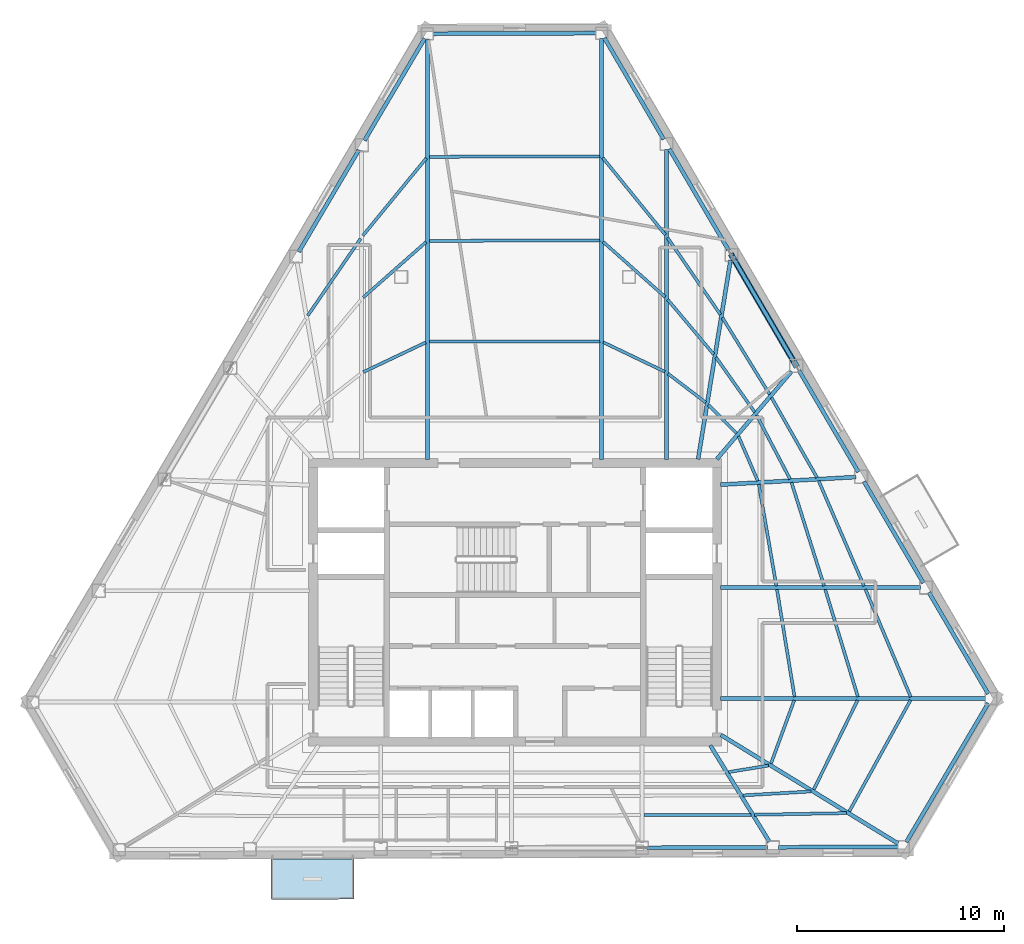
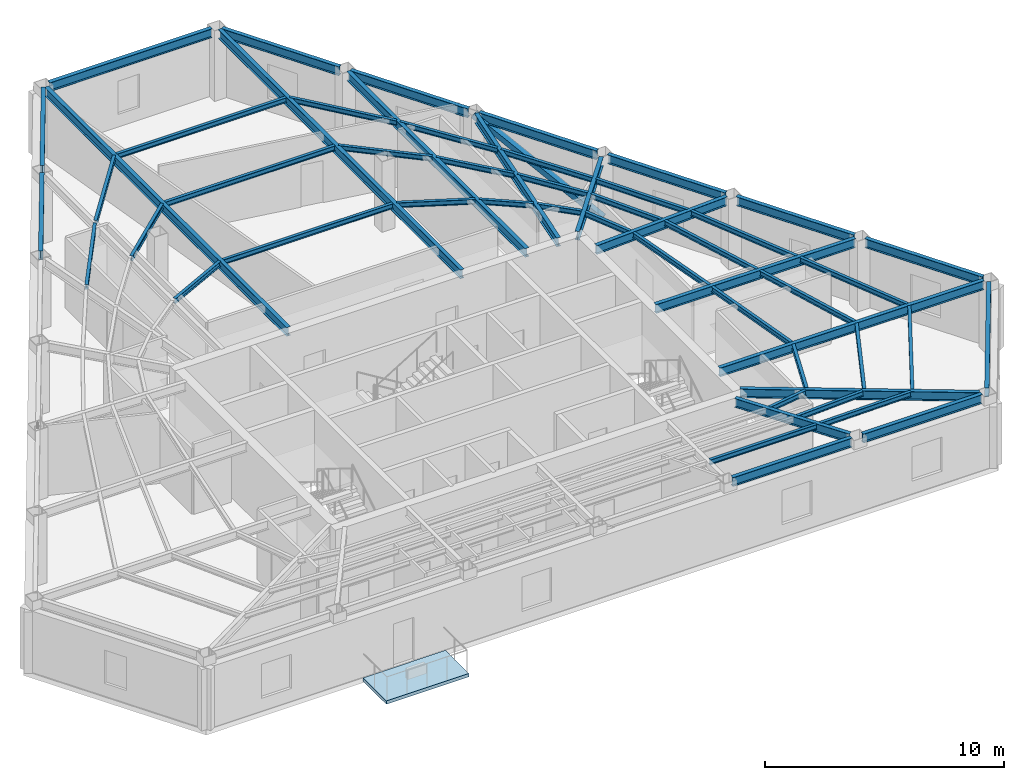
# One storey, part 2 of 9: 54 beams, 1 member, 1 slab.
"""IFC4 building model written with IfcOpenShell, lengths in metres."""

from ifc_helpers import new_model, si_unit, direction, frame, origin, origin_2d, place, context, subcontext, project, spatial, polyline, hollow_rectangle, i_section, outline, extrude, material, layer, layer_set, material_profile, profile_set, type_object, element, save


model = new_model("IFC4")

# Units and contexts
model_context = context("Model", 3, precision=1e-05, world=origin(), true_north=direction((0.0, 1.0)))
body_context = subcontext(model_context, "Body", "Model", "MODEL_VIEW")
ifc_project = project(units=[si_unit("LENGTHUNIT", "METRE"), si_unit("AREAUNIT", "SQUARE_METRE"), si_unit("VOLUMEUNIT", "CUBIC_METRE"), si_unit("PLANEANGLEUNIT", "RADIAN"), si_unit("MASSUNIT", "GRAM", prefix="KILO")], contexts=[model_context])

# Site, building, storey
site_placement = place(None, origin())
site = spatial("IfcSite", under=ifc_project, at=site_placement, CompositionType="ELEMENT")
building_placement = place(site_placement, origin())
building = spatial("IfcBuilding", under=site, at=building_placement, Name="Kavelnor Concourse Tower", CompositionType="ELEMENT")
storey_placement = place(building_placement, frame((0.0, 0.0, 207.35009765625)))
storey = spatial("IfcBuildingStorey", under=building, at=storey_placement, Name="L52", CompositionType="ELEMENT", Elevation=207.35009765625)

# Beams
ifc_material_1 = material(Name="Steel Grade 350", Category="steel")
ifc_material_profile_1 = material_profile(ifc_material_1, i_section(OverallWidth=0.14599609375, OverallDepth=0.256103515625, WebThickness=0.00634765625, FlangeThickness=0.010986328125, at=origin_2d()), Name="250UB37")
ifc_profile_set_1 = profile_set([ifc_material_profile_1], Name="Steel Grade 350")
beam_type_1 = type_object("IfcBeamType", Name="BM-JOIST-250", PredefinedType="JOIST", material=ifc_profile_set_1)
beam_1_placement = place(storey_placement, frame((44.21875, 5.823486328125, 3.471923828125), z_axis=(0.999993722151, 0.003543396445, 0.0), x_axis=(-0.003543396445, 0.999993722151, 0.0)))
element("IfcBeam", 1, at=beam_1_placement, inside=storey, type_object=beam_type_1, Name="L52 Secondary Composite Joist 06-3", PredefinedType="JOIST", context=body_context, shape_type="SweptSolid", body=[
    extrude(i_section(OverallWidth=0.14599609375, OverallDepth=0.256103515625, WebThickness=0.00634765625, FlangeThickness=0.010986328125, at=origin_2d()), origin(), (0.0, 0.0, 1.0), 5.16748046875),
])
beam_2_placement = place(storey_placement, frame((48.307373046875, 7.90478515625, 3.471923828125), z_axis=(0.987025725403, 0.160562191669, 0.0), x_axis=(-0.160562191669, 0.987025725403, 0.0)))
element("IfcBeam", 2, at=beam_2_placement, inside=storey, type_object=beam_type_1, Name="L52 Secondary Composite Joist 07-1", PredefinedType="JOIST", context=body_context, shape_type="SweptSolid", body=[
    extrude(i_section(OverallWidth=0.14599609375, OverallDepth=0.256103515625, WebThickness=0.00634765625, FlangeThickness=0.010986328125, at=origin_2d()), origin(), (0.0, 0.0, 1.0), 1.950927734375),
])
beam_3_placement = place(storey_placement, frame((48.993408203125, 6.7783203125, 3.471923828125), z_axis=(0.998321546787, 0.057914499228, 0.0), x_axis=(-0.057914499228, 0.998321546787, 0.0)))
element("IfcBeam", 3, at=beam_3_placement, inside=storey, type_object=beam_type_1, Name="L52 Secondary Composite Joist 07-2", PredefinedType="JOIST", context=body_context, shape_type="SweptSolid", body=[
    extrude(i_section(OverallWidth=0.14599609375, OverallDepth=0.256103515625, WebThickness=0.00634765625, FlangeThickness=0.010986328125, at=origin_2d()), origin(), (0.0, 0.0, 1.0), 3.296630859375),
])
beam_4_placement = place(storey_placement, frame((49.564208984375, 5.84375, 3.471923828125), z_axis=(0.999833712305, 0.018235891491, 0.0), x_axis=(-0.018235891491, 0.999833712305, 0.0)))
element("IfcBeam", 4, at=beam_4_placement, inside=storey, type_object=beam_type_1, Name="L52 Secondary Composite Joist 07-3", PredefinedType="JOIST", context=body_context, shape_type="SweptSolid", body=[
    extrude(i_section(OverallWidth=0.14599609375, OverallDepth=0.256103515625, WebThickness=0.00634765625, FlangeThickness=0.010986328125, at=origin_2d()), origin(), (0.0, 0.0, 1.0), 4.431396484375),
])
beam_5_placement = place(storey_placement, frame((50.351318359375, 8.31591796875, 3.471923828125), z_axis=(0.344045046341, 0.938953143713, 0.0), x_axis=(-0.938953143713, 0.344045046341, 0.0)))
element("IfcBeam", 5, at=beam_5_placement, inside=storey, type_object=beam_type_1, Name="L52 Secondary Composite Joist 08-1", PredefinedType="JOIST", context=body_context, shape_type="SweptSolid", body=[
    extrude(i_section(OverallWidth=0.14599609375, OverallDepth=0.256103515625, WebThickness=0.00634765625, FlangeThickness=0.010986328125, at=origin_2d()), origin(), (0.0, 0.0, 1.0), 3.25146484375),
])
beam_6_placement = place(storey_placement, frame((52.41259765625, 7.05419921875, 3.471923828125), z_axis=(0.44031769426, 0.897842039627, 0.0), x_axis=(-0.897842039627, 0.44031769426, 0.0)))
element("IfcBeam", 6, at=beam_6_placement, inside=storey, type_object=beam_type_1, Name="L52 Secondary Composite Joist 08-2", PredefinedType="JOIST", context=body_context, shape_type="SweptSolid", body=[
    extrude(i_section(OverallWidth=0.14599609375, OverallDepth=0.256103515625, WebThickness=0.00634765625, FlangeThickness=0.010986328125, at=origin_2d()), origin(), (0.0, 0.0, 1.0), 4.81005859375),
])
beam_7_placement = place(storey_placement, frame((54.126708984375, 6.004150390625, 3.471923828125), z_axis=(0.48242770073, 0.875935793063, 0.0), x_axis=(-0.875935793063, 0.48242770073, 0.0)))
element("IfcBeam", 7, at=beam_7_placement, inside=storey, type_object=beam_type_1, Name="L52 Secondary Composite Joist 08-3", PredefinedType="JOIST", context=body_context, shape_type="SweptSolid", body=[
    extrude(i_section(OverallWidth=0.14599609375, OverallDepth=0.256103515625, WebThickness=0.00634765625, FlangeThickness=0.010986328125, at=origin_2d()), origin(), (0.0, 0.0, 1.0), 6.131103515625),
])
beam_8_placement = place(storey_placement, frame((51.486083984375, 11.540283203125, 3.471923828125), z_axis=(-0.161681409577, 0.986843007675, 0.0), x_axis=(-0.986843007675, -0.161681409577, 0.0)))
element("IfcBeam", 8, at=beam_8_placement, inside=storey, type_object=beam_type_1, Name="L52 Secondary Composite Joist 09-1", PredefinedType="JOIST", context=body_context, shape_type="SweptSolid", body=[
    extrude(i_section(OverallWidth=0.14599609375, OverallDepth=0.256103515625, WebThickness=0.00634765625, FlangeThickness=0.010986328125, at=origin_2d()), origin(), (0.0, 0.0, 1.0), 5.245849609375),
])
beam_9_placement = place(storey_placement, frame((54.543701171875, 11.53759765625, 3.471923828125), z_axis=(-0.291116777904, 0.956687525592, 0.0), x_axis=(-0.956687525592, -0.291116777904, 0.0)))
element("IfcBeam", 9, at=beam_9_placement, inside=storey, type_object=beam_type_1, Name="L52 Secondary Composite Joist 09-2", PredefinedType="JOIST", context=body_context, shape_type="SweptSolid", body=[
    extrude(i_section(OverallWidth=0.14599609375, OverallDepth=0.256103515625, WebThickness=0.00634765625, FlangeThickness=0.010986328125, at=origin_2d()), origin(), (0.0, 0.0, 1.0), 5.416748046875),
])
beam_10_placement = place(storey_placement, frame((57.0927734375, 11.53466796875, 3.471923828125), z_axis=(-0.388285748605, 0.921539026537, 0.0), x_axis=(-0.921539026537, -0.388285748605, 0.0)))
element("IfcBeam", 10, at=beam_10_placement, inside=storey, type_object=beam_type_1, Name="L52 Secondary Composite Joist 09-3", PredefinedType="JOIST", context=body_context, shape_type="SweptSolid", body=[
    extrude(i_section(OverallWidth=0.14599609375, OverallDepth=0.256103515625, WebThickness=0.00634765625, FlangeThickness=0.010986328125, at=origin_2d()), origin(), (0.0, 0.0, 1.0), 5.6298828125),
])
beam_11_placement = place(storey_placement, frame((50.6083984375, 16.892578125, 3.471923828125), z_axis=(-0.170387316375, 0.985377167595, 0.0), x_axis=(-0.985377167595, -0.170387316375, 0.0)))
element("IfcBeam", 11, at=beam_11_placement, inside=storey, type_object=beam_type_1, Name="L52 Secondary Composite Joist 10-1", PredefinedType="JOIST", context=body_context, shape_type="SweptSolid", body=[
    extrude(i_section(OverallWidth=0.14599609375, OverallDepth=0.256103515625, WebThickness=0.00634765625, FlangeThickness=0.010986328125, at=origin_2d()), origin(), (0.0, 0.0, 1.0), 4.96923828125),
])
beam_12_placement = place(storey_placement, frame((52.914306640625, 16.8896484375, 3.471923828125), z_axis=(-0.300988475629, 0.953627777248, 0.0), x_axis=(-0.953627777248, -0.300988475629, 0.0)))
element("IfcBeam", 12, at=beam_12_placement, inside=storey, type_object=beam_type_1, Name="L52 Secondary Composite Joist 10-2", PredefinedType="JOIST", context=body_context, shape_type="SweptSolid", body=[
    extrude(i_section(OverallWidth=0.14599609375, OverallDepth=0.256103515625, WebThickness=0.00634765625, FlangeThickness=0.010986328125, at=origin_2d()), origin(), (0.0, 0.0, 1.0), 5.2333984375),
])
beam_13_placement = place(storey_placement, frame((54.8369140625, 16.886474609375, 3.471923828125), z_axis=(-0.395695617938, 0.918381716904, 0.0), x_axis=(-0.918381716904, -0.395695617938, 0.0)))
element("IfcBeam", 13, at=beam_13_placement, inside=storey, type_object=beam_type_1, Name="L52 Secondary Composite Joist 10-3", PredefinedType="JOIST", context=body_context, shape_type="SweptSolid", body=[
    extrude(i_section(OverallWidth=0.14599609375, OverallDepth=0.256103515625, WebThickness=0.00634765625, FlangeThickness=0.010986328125, at=origin_2d()), origin(), (0.0, 0.0, 1.0), 5.521484375),
])
beam_14_placement = place(storey_placement, frame((49.711181640625, 21.95849609375, 3.471923828125), z_axis=(-0.39647986998, 0.918043415477, 0.0), x_axis=(-0.918043415477, -0.39647986998, 0.0)))
element("IfcBeam", 14, at=beam_14_placement, inside=storey, type_object=beam_type_1, Name="L52 Secondary Composite Joist 11-1", PredefinedType="JOIST", context=body_context, shape_type="SweptSolid", body=[
    extrude(i_section(OverallWidth=0.14599609375, OverallDepth=0.256103515625, WebThickness=0.00634765625, FlangeThickness=0.010986328125, at=origin_2d()), origin(), (0.0, 0.0, 1.0), 2.34619140625),
])
beam_15_placement = place(storey_placement, frame((51.27099609375, 22.044189453125, 3.471923828125), z_axis=(-0.464530451543, 0.885557146428, 0.0), x_axis=(-0.885557146428, -0.464530451543, 0.0)))
element("IfcBeam", 15, at=beam_15_placement, inside=storey, type_object=beam_type_1, Name="L52 Secondary Composite Joist 11-2", PredefinedType="JOIST", context=body_context, shape_type="SweptSolid", body=[
    extrude(i_section(OverallWidth=0.14599609375, OverallDepth=0.256103515625, WebThickness=0.00634765625, FlangeThickness=0.010986328125, at=origin_2d()), origin(), (0.0, 0.0, 1.0), 3.485107421875),
])
beam_16_placement = place(storey_placement, frame((52.572998046875, 22.116455078125, 3.471923828125), z_axis=(-0.494534270093, 0.869158130436, 0.0), x_axis=(-0.869158130436, -0.494534270093, 0.0)))
element("IfcBeam", 16, at=beam_16_placement, inside=storey, type_object=beam_type_1, Name="L52 Secondary Composite Joist 11-3", PredefinedType="JOIST", context=body_context, shape_type="SweptSolid", body=[
    extrude(i_section(OverallWidth=0.14599609375, OverallDepth=0.256103515625, WebThickness=0.00634765625, FlangeThickness=0.010986328125, at=origin_2d()), origin(), (0.0, 0.0, 1.0), 4.442626953125),
])
beam_17_placement = place(storey_placement, frame((48.68310546875, 24.25732421875, 3.471923828125), z_axis=(-0.70258378024, 0.711601034108, 0.0), x_axis=(-0.711601034108, -0.70258378024, 0.0)))
element("IfcBeam", 17, at=beam_17_placement, inside=storey, type_object=beam_type_1, Name="L52 Secondary Composite Joist 12-1", PredefinedType="JOIST", context=body_context, shape_type="SweptSolid", body=[
    extrude(i_section(OverallWidth=0.14599609375, OverallDepth=0.256103515625, WebThickness=0.00634765625, FlangeThickness=0.010986328125, at=origin_2d()), origin(), (0.0, 0.0, 1.0), 1.92236328125),
])
beam_18_placement = place(storey_placement, frame((49.5595703125, 25.281982421875, 3.471923828125), z_axis=(-0.576795974756, 0.816888244196, 0.0), x_axis=(-0.816888244196, -0.576795974756, 0.0)))
element("IfcBeam", 18, at=beam_18_placement, inside=storey, type_object=beam_type_1, Name="L52 Secondary Composite Joist 12-2", PredefinedType="JOIST", context=body_context, shape_type="SweptSolid", body=[
    extrude(i_section(OverallWidth=0.14599609375, OverallDepth=0.256103515625, WebThickness=0.00634765625, FlangeThickness=0.010986328125, at=origin_2d()), origin(), (0.0, 0.0, 1.0), 3.2294921875),
])
beam_19_placement = place(storey_placement, frame((50.285400390625, 26.131103515625, 3.471923828125), z_axis=(-0.524075513292, 0.851671800853, 0.0), x_axis=(-0.851671800853, -0.524075513292, 0.0)))
element("IfcBeam", 19, at=beam_19_placement, inside=storey, type_object=beam_type_1, Name="L52 Secondary Composite Joist 12-3", PredefinedType="JOIST", context=body_context, shape_type="SweptSolid", body=[
    extrude(i_section(OverallWidth=0.14599609375, OverallDepth=0.256103515625, WebThickness=0.00634765625, FlangeThickness=0.010986328125, at=origin_2d()), origin(), (0.0, 0.0, 1.0), 4.3515625),
])
beam_20_placement = place(storey_placement, frame((47.19921875, 25.74267578125, 3.471923828125), z_axis=(-0.794935021332, 0.60669457873, 0.0), x_axis=(-0.60669457873, -0.794935021332, 0.0)))
element("IfcBeam", 20, at=beam_20_placement, inside=storey, type_object=beam_type_1, Name="L52 Secondary Composite Joist 13-1", PredefinedType="JOIST", context=body_context, shape_type="SweptSolid", body=[
    extrude(i_section(OverallWidth=0.14599609375, OverallDepth=0.256103515625, WebThickness=0.00634765625, FlangeThickness=0.010986328125, at=origin_2d()), origin(), (0.0, 0.0, 1.0), 2.291748046875),
])
beam_21_placement = place(storey_placement, frame((47.588134765625, 28.060791015625, 3.471923828125), z_axis=(-0.643304692864, 0.765610261255, 0.0), x_axis=(-0.765610261255, -0.643304692864, 0.0)))
element("IfcBeam", 21, at=beam_21_placement, inside=storey, type_object=beam_type_1, Name="L52 Secondary Composite Joist 13-2", PredefinedType="JOIST", context=body_context, shape_type="SweptSolid", body=[
    extrude(i_section(OverallWidth=0.14599609375, OverallDepth=0.256103515625, WebThickness=0.00634765625, FlangeThickness=0.010986328125, at=origin_2d()), origin(), (0.0, 0.0, 1.0), 3.457275390625),
])
beam_22_placement = place(storey_placement, frame((47.907958984375, 29.986083984375, 3.471923828125), z_axis=(-0.566835018031, 0.823831331241, 0.0), x_axis=(-0.823831331241, -0.566835018031, 0.0)))
element("IfcBeam", 22, at=beam_22_placement, inside=storey, type_object=beam_type_1, Name="L52 Secondary Composite Joist 13-3", PredefinedType="JOIST", context=body_context, shape_type="SweptSolid", body=[
    extrude(i_section(OverallWidth=0.14599609375, OverallDepth=0.256103515625, WebThickness=0.00634765625, FlangeThickness=0.010986328125, at=origin_2d()), origin(), (0.0, 0.0, 1.0), 4.5),
])
beam_23_placement = place(storey_placement, frame((45.226318359375, 27.225341796875, 3.471923828125), z_axis=(-0.902058958425, 0.431612830584, 0.0), x_axis=(-0.431612830584, -0.902058958425, 0.0)))
element("IfcBeam", 23, at=beam_23_placement, inside=storey, type_object=beam_type_1, Name="L52 Secondary Composite Joist 14-1", PredefinedType="JOIST", context=body_context, shape_type="SweptSolid", body=[
    extrude(i_section(OverallWidth=0.14599609375, OverallDepth=0.256103515625, WebThickness=0.00634765625, FlangeThickness=0.010986328125, at=origin_2d()), origin(), (0.0, 0.0, 1.0), 3.29443359375),
])
beam_24_placement = place(storey_placement, frame((45.240234375, 30.8349609375, 3.471923828125), z_axis=(-0.747530165052, 0.664227861759, 0.0), x_axis=(-0.664227861759, -0.747530165052, 0.0)))
element("IfcBeam", 24, at=beam_24_placement, inside=storey, type_object=beam_type_1, Name="L52 Secondary Composite Joist 14-2", PredefinedType="JOIST", context=body_context, shape_type="SweptSolid", body=[
    extrude(i_section(OverallWidth=0.14599609375, OverallDepth=0.256103515625, WebThickness=0.00634765625, FlangeThickness=0.010986328125, at=origin_2d()), origin(), (0.0, 0.0, 1.0), 4.01220703125),
])
beam_25_placement = place(storey_placement, frame((45.25048828125, 33.835693359375, 3.471923828125), z_axis=(-0.630732744322, 0.776000132242, 0.0), x_axis=(-0.776000132242, -0.630732744322, 0.0)))
element("IfcBeam", 25, at=beam_25_placement, inside=storey, type_object=beam_type_1, Name="L52 Secondary Composite Joist 14-3", PredefinedType="JOIST", context=body_context, shape_type="SweptSolid", body=[
    extrude(i_section(OverallWidth=0.14599609375, OverallDepth=0.256103515625, WebThickness=0.00634765625, FlangeThickness=0.010986328125, at=origin_2d()), origin(), (0.0, 0.0, 1.0), 4.7880859375),
])
for number, where, z_axis, x_axis, name in (
    (26, (42.08544921875, 28.685546875, 3.471923828125), (-0.999999491028, -0.001008931502, 0.0), (0.001008931502, -0.999999491028, 0.0), "L52 Secondary Composite Joist 15-1"),
    (27, (42.08544921875, 33.558837890625, 3.471923828125), (-0.999998196589, -0.001899162722, 0.0), (0.001899162722, -0.999998196589, 0.0), "L52 Secondary Composite Joist 15-2"),
    (28, (42.08544921875, 37.6201171875, 3.471923828125), (-0.999996512504, -0.002641018713, 0.0), (0.002641018713, -0.999996512504, 0.0), "L52 Secondary Composite Joist 15-3"),
):
    element("IfcBeam", number, at=place(storey_placement, frame(where, z_axis=z_axis, x_axis=x_axis)), inside=storey, type_object=beam_type_1, Name=name, PredefinedType="JOIST", context=body_context, shape_type="SweptSolid", body=[
        extrude(i_section(OverallWidth=0.14599609375, OverallDepth=0.256103515625, WebThickness=0.00634765625, FlangeThickness=0.010986328125, at=origin_2d()), origin(), (0.0, 0.0, 1.0), 8.227294921875),
    ])
beam_26_placement = place(storey_placement, frame((33.688720703125, 28.638916015625, 3.471923828125), z_axis=(-0.903464752334, -0.428662386139, 0.0), x_axis=(0.428662386139, -0.903464752334, 0.0)))
element("IfcBeam", 29, at=beam_26_placement, inside=storey, type_object=beam_type_1, Name="L52 Secondary Composite Joist 16-1", PredefinedType="JOIST", context=body_context, shape_type="SweptSolid", body=[
    extrude(i_section(OverallWidth=0.14599609375, OverallDepth=0.256103515625, WebThickness=0.00634765625, FlangeThickness=0.010986328125, at=origin_2d()), origin(), (0.0, 0.0, 1.0), 3.33349609375),
])
beam_27_placement = place(storey_placement, frame((33.702392578125, 33.484375, 3.471923828125), z_axis=(-0.750272148242, -0.661129112634, 0.0), x_axis=(0.661129112634, -0.750272148242, 0.0)))
element("IfcBeam", 30, at=beam_27_placement, inside=storey, type_object=beam_type_1, Name="L52 Secondary Composite Joist 16-2", PredefinedType="JOIST", context=body_context, shape_type="SweptSolid", body=[
    extrude(i_section(OverallWidth=0.14599609375, OverallDepth=0.256103515625, WebThickness=0.00634765625, FlangeThickness=0.010986328125, at=origin_2d()), origin(), (0.0, 0.0, 1.0), 4.050537109375),
])
beam_28_placement = place(storey_placement, frame((33.712890625, 37.529296875, 3.471923828125), z_axis=(-0.633909604387, -0.773407145989, 0.0), x_axis=(0.773407145989, -0.633909604387, 0.0)))
element("IfcBeam", 31, at=beam_28_placement, inside=storey, type_object=beam_type_1, Name="L52 Secondary Composite Joist 16-3", PredefinedType="JOIST", context=body_context, shape_type="SweptSolid", body=[
    extrude(i_section(OverallWidth=0.14599609375, OverallDepth=0.256103515625, WebThickness=0.00634765625, FlangeThickness=0.010986328125, at=origin_2d()), origin(), (0.0, 0.0, 1.0), 4.826904296875),
])
beam_29_placement = place(storey_placement, frame((30.546142578125, 33.654052734375, 3.471923828125), z_axis=(-0.565727927172, -0.824591967228, 0.0), x_axis=(0.824591967228, -0.565727927172, 0.0)))
element("IfcBeam", 32, at=beam_29_placement, inside=storey, type_object=beam_type_1, Name="L52 Secondary Composite Joist 17-3", PredefinedType="JOIST", context=body_context, shape_type="SweptSolid", body=[
    extrude(i_section(OverallWidth=0.14599609375, OverallDepth=0.256103515625, WebThickness=0.00634765625, FlangeThickness=0.010986328125, at=origin_2d()), origin(), (0.0, 0.0, 1.0), 4.5166015625),
])
ifc_material_profile_2 = material_profile(ifc_material_1, i_section(OverallWidth=0.18994140625, OverallDepth=0.4541015625, WebThickness=0.008544921875, FlangeThickness=0.0126953125, at=origin_2d()), Name="460UB67")
ifc_profile_set_2 = profile_set([ifc_material_profile_2], Name="Steel Grade 350")
beam_type_2 = type_object("IfcBeamType", Name="BM-PRIMARY-460", PredefinedType="BEAM", material=ifc_profile_set_2)
beam_30_placement = place(storey_placement, frame((33.769287109375, 23.0, 3.372802734375), z_axis=(0.0, 1.0, 0.0), x_axis=(-1.0, 0.0, 0.0)))
element("IfcBeam", 33, at=beam_30_placement, inside=storey, type_object=beam_type_2, Name="L52 Primary Floor Girder F0-B0", PredefinedType="BEAM", context=body_context, shape_type="SweptSolid", body=[
    extrude(i_section(OverallWidth=0.18994140625, OverallDepth=0.4541015625, WebThickness=0.008544921875, FlangeThickness=0.0126953125, at=origin_2d()), origin(), (0.0, 0.0, 1.0), 20.275390625),
])
beam_31_placement = place(storey_placement, frame((47.42041015625, 9.194091796875, 3.372802734375), z_axis=(0.522632302533, -0.852558195286, 0.0), x_axis=(0.852558195286, 0.522632302533, 0.0)))
element("IfcBeam", 34, at=beam_31_placement, inside=storey, type_object=beam_type_2, Name="L52 Primary Floor Girder F1-B5", PredefinedType="BEAM", context=body_context, shape_type="SweptSolid", body=[
    extrude(i_section(OverallWidth=0.18994140625, OverallDepth=0.4541015625, WebThickness=0.008544921875, FlangeThickness=0.0126953125, at=origin_2d()), origin(), (0.0, 0.0, 1.0), 5.46044921875),
])
beam_32_placement = place(storey_placement, frame((47.92578125, 9.69970703125, 3.372802734375), z_axis=(0.852636230597, -0.52250498397, 0.0), x_axis=(0.52250498397, 0.852636230597, 0.0)))
element("IfcBeam", 35, at=beam_32_placement, inside=storey, type_object=beam_type_2, Name="L52 Primary Floor Girder F1-B6", PredefinedType="BEAM", context=body_context, shape_type="SweptSolid", body=[
    extrude(i_section(OverallWidth=0.18994140625, OverallDepth=0.4541015625, WebThickness=0.008544921875, FlangeThickness=0.0126953125, at=origin_2d()), origin(), (0.0, 0.0, 1.0), 10.031005859375),
])
beam_33_placement = place(storey_placement, frame((47.919921875, 11.45263671875, 3.372802734375), z_axis=(1.0, 0.0, 0.0), x_axis=(0.0, 1.0, 0.0)))
element("IfcBeam", 36, at=beam_33_placement, inside=storey, type_object=beam_type_2, Name="L52 Primary Floor Girder F2-B0", PredefinedType="BEAM", context=body_context, shape_type="SweptSolid", body=[
    extrude(i_section(OverallWidth=0.18994140625, OverallDepth=0.4541015625, WebThickness=0.008544921875, FlangeThickness=0.0126953125, at=origin_2d()), origin(), (0.0, 0.0, 1.0), 12.7880859375),
])
beam_34_placement = place(storey_placement, frame((47.919921875, 16.8046875, 3.372802734375), z_axis=(1.0, 0.0, 0.0), x_axis=(0.0, 1.0, 0.0)))
element("IfcBeam", 37, at=beam_34_placement, inside=storey, type_object=beam_type_2, Name="L52 Primary Floor Girder F2-B1", PredefinedType="BEAM", context=body_context, shape_type="SweptSolid", body=[
    extrude(i_section(OverallWidth=0.18994140625, OverallDepth=0.4541015625, WebThickness=0.008544921875, FlangeThickness=0.0126953125, at=origin_2d()), origin(), (0.0, 0.0, 1.0), 9.65576171875),
])
beam_35_placement = place(storey_placement, frame((47.920166015625, 21.7734375, 3.372802734375), z_axis=(0.998404788112, 0.056461305993, 0.0), x_axis=(-0.056461305993, 0.998404788112, 0.0)))
element("IfcBeam", 38, at=beam_35_placement, inside=storey, type_object=beam_type_2, Name="L52 Primary Floor Girder F2-B2", PredefinedType="BEAM", context=body_context, shape_type="SweptSolid", body=[
    extrude(i_section(OverallWidth=0.18994140625, OverallDepth=0.4541015625, WebThickness=0.008544921875, FlangeThickness=0.0126953125, at=origin_2d()), origin(), (0.0, 0.0, 1.0), 6.53369140625),
])
beam_36_placement = place(storey_placement, frame((47.736083984375, 23.009521484375, 3.372802734375), z_axis=(0.648690803295, 0.761052062425, 0.0), x_axis=(-0.761052062425, 0.648690803295, 0.0)))
element("IfcBeam", 39, at=beam_36_placement, inside=storey, type_object=beam_type_2, Name="L52 Primary Floor Girder F2-B3", PredefinedType="BEAM", context=body_context, shape_type="SweptSolid", body=[
    extrude(i_section(OverallWidth=0.18994140625, OverallDepth=0.4541015625, WebThickness=0.008544921875, FlangeThickness=0.0126953125, at=origin_2d()), origin(), (0.0, 0.0, 1.0), 5.55810546875),
])
beam_37_placement = place(storey_placement, frame((46.831787109375, 23.00048828125, 3.372802734375), z_axis=(0.160856989057, 0.986977724709, 0.0), x_axis=(-0.986977724709, 0.160856989057, 0.0)))
element("IfcBeam", 40, at=beam_37_placement, inside=storey, type_object=beam_type_2, Name="L52 Primary Floor Girder F2-B4", PredefinedType="BEAM", context=body_context, shape_type="SweptSolid", body=[
    extrude(i_section(OverallWidth=0.18994140625, OverallDepth=0.4541015625, WebThickness=0.008544921875, FlangeThickness=0.0126953125, at=origin_2d()), origin(), (0.0, 0.0, 1.0), 9.727294921875),
])
beam_38_placement = place(storey_placement, frame((45.306640625, 23.0, 3.372802734375), z_axis=(0.0, 1.0, 0.0), x_axis=(-1.0, 0.0, 0.0)))
element("IfcBeam", 41, at=beam_38_placement, inside=storey, type_object=beam_type_2, Name="L52 Primary Floor Girder F2-B5", PredefinedType="BEAM", context=body_context, shape_type="SweptSolid", body=[
    extrude(i_section(OverallWidth=0.18994140625, OverallDepth=0.4541015625, WebThickness=0.008544921875, FlangeThickness=0.0126953125, at=origin_2d()), origin(), (0.0, 0.0, 1.0), 14.95361328125),
])
beam_39_placement = place(storey_placement, frame((42.17431640625, 23.0, 3.372802734375), z_axis=(0.0, 1.0, 0.0), x_axis=(-1.0, 0.0, 0.0)))
element("IfcBeam", 42, at=beam_39_placement, inside=storey, type_object=beam_type_2, Name="L52 Primary Floor Girder F2-B6", PredefinedType="BEAM", context=body_context, shape_type="SweptSolid", body=[
    extrude(i_section(OverallWidth=0.18994140625, OverallDepth=0.4541015625, WebThickness=0.008544921875, FlangeThickness=0.0126953125, at=origin_2d()), origin(), (0.0, 0.0, 1.0), 20.305908203125),
])
ifc_material_profile_3 = material_profile(ifc_material_1, i_section(OverallWidth=0.19091796875, OverallDepth=0.4599609375, WebThickness=0.010009765625, FlangeThickness=0.01611328125, at=origin_2d()), Name="460UB82")
ifc_profile_set_3 = profile_set([ifc_material_profile_3], Name="Steel Grade 350")
beam_type_3 = type_object("IfcBeamType", Name="BM-SPANDREL-Z3", PredefinedType="SPANDREL", material=ifc_profile_set_3)
for number, where, z_axis, x_axis, name in (
    (43, (33.634521484375, 43.30712890625, 3.369873046875), (-0.508222407095, -0.861225861738, 0.0), (0.861225861738, -0.508222407095, 0.0), "L52 Perimeter Tube Spandrel Beam F0-B0"),
    (44, (30.4619140625, 37.930908203125, 3.369873046875), (-0.508222407095, -0.861225861738, 0.0), (0.861225861738, -0.508222407095, 0.0), "L52 Perimeter Tube Spandrel Beam F0-B1"),
):
    element("IfcBeam", number, at=place(storey_placement, frame(where, z_axis=z_axis, x_axis=x_axis)), inside=storey, type_object=beam_type_3, Name=name, PredefinedType="SPANDREL", context=body_context, shape_type="SweptSolid", body=[
        extrude(i_section(OverallWidth=0.19091796875, OverallDepth=0.4599609375, WebThickness=0.010009765625, FlangeThickness=0.01611328125, at=origin_2d()), origin(), (0.0, 0.0, 1.0), 5.712646484375),
    ])
beam_40_placement = place(storey_placement, frame((41.909423828125, 43.56494140625, 3.369873046875), z_axis=(-0.999993422066, -0.003627095836, 0.0), x_axis=(0.003627095836, -0.999993422066, 0.0)))
element("IfcBeam", 45, at=beam_40_placement, inside=storey, type_object=beam_type_3, Name="L52 Chamfer Facet Spandrel Beam C0", PredefinedType="SPANDREL", context=body_context, shape_type="SweptSolid", body=[
    extrude(i_section(OverallWidth=0.19091796875, OverallDepth=0.4599609375, WebThickness=0.010009765625, FlangeThickness=0.01611328125, at=origin_2d()), origin(), (0.0, 0.0, 1.0), 7.875244140625),
])
for number, where, z_axis, x_axis, name in (
    (46, (44.394775390625, 4.250732421875, 3.369873046875), (0.999993396316, 0.003634188306, 0.0), (-0.003634188306, 0.999993396316, 0.0), "L52 Perimeter Tube Spandrel Beam F1-B4"),
    (47, (50.7021484375, 4.273681640625, 3.369873046875), (0.999993396316, 0.003634188306, 0.0), (-0.003634188306, 0.999993396316, 0.0), "L52 Perimeter Tube Spandrel Beam F1-B5"),
):
    element("IfcBeam", number, at=place(storey_placement, frame(where, z_axis=z_axis, x_axis=x_axis)), inside=storey, type_object=beam_type_3, Name=name, PredefinedType="SPANDREL", context=body_context, shape_type="SweptSolid", body=[
        extrude(i_section(OverallWidth=0.19091796875, OverallDepth=0.4599609375, WebThickness=0.010009765625, FlangeThickness=0.01611328125, at=origin_2d()), origin(), (0.0, 0.0, 1.0), 5.77734375),
    ])
for number, where, z_axis, x_axis, name in (
    (48, (60.833984375, 11.681396484375, 3.369873046875), (-0.5050830126, 0.863070767888, 0.0), (-0.863070767888, -0.5050830126, 0.0), "L52 Perimeter Tube Spandrel Beam F2-B0"),
    (49, (57.701904296875, 17.033447265625, 3.369873046875), (-0.5050830126, 0.863070767888, 0.0), (-0.863070767888, -0.5050830126, 0.0), "L52 Perimeter Tube Spandrel Beam F2-B1"),
    (50, (54.569580078125, 22.3857421875, 3.369873046875), (-0.5050830126, 0.863070767888, 0.0), (-0.863070767888, -0.5050830126, 0.0), "L52 Perimeter Tube Spandrel Beam F2-B2"),
):
    element("IfcBeam", number, at=place(storey_placement, frame(where, z_axis=z_axis, x_axis=x_axis)), inside=storey, type_object=beam_type_3, Name=name, PredefinedType="SPANDREL", context=body_context, shape_type="SweptSolid", body=[
        extrude(i_section(OverallWidth=0.19091796875, OverallDepth=0.4599609375, WebThickness=0.010009765625, FlangeThickness=0.01611328125, at=origin_2d()), origin(), (0.0, 0.0, 1.0), 5.67138671875),
    ])
for number, where, z_axis, x_axis, name in (
    (51, (51.4375, 27.73779296875, 3.369873046875), (-0.505096312267, 0.86306298457, 0.0), (-0.86306298457, -0.505096312267, 0.0), "L52 Perimeter Tube Spandrel Beam F2-B3"),
    (52, (48.30517578125, 33.090087890625, 3.369873046875), (-0.505096312267, 0.86306298457, 0.0), (-0.86306298457, -0.505096312267, 0.0), "L52 Perimeter Tube Spandrel Beam F2-B4"),
):
    element("IfcBeam", number, at=place(storey_placement, frame(where, z_axis=z_axis, x_axis=x_axis)), inside=storey, type_object=beam_type_3, Name=name, PredefinedType="SPANDREL", context=body_context, shape_type="SweptSolid", body=[
        extrude(i_section(OverallWidth=0.19091796875, OverallDepth=0.4599609375, WebThickness=0.010009765625, FlangeThickness=0.01611328125, at=origin_2d()), origin(), (0.0, 0.0, 1.0), 5.671630859375),
    ])
beam_41_placement = place(storey_placement, frame((45.1728515625, 38.4423828125, 3.369873046875), z_axis=(-0.5050830126, 0.863070767888, 0.0), x_axis=(-0.863070767888, -0.5050830126, 0.0)))
element("IfcBeam", 53, at=beam_41_placement, inside=storey, type_object=beam_type_3, Name="L52 Perimeter Tube Spandrel Beam F2-B5", PredefinedType="SPANDREL", context=body_context, shape_type="SweptSolid", body=[
    extrude(i_section(OverallWidth=0.19091796875, OverallDepth=0.4599609375, WebThickness=0.010009765625, FlangeThickness=0.01611328125, at=origin_2d()), origin(), (0.0, 0.0, 1.0), 5.67138671875),
])
beam_42_placement = place(storey_placement, frame((56.879150390625, 4.52392578125, 3.369873046875), z_axis=(0.508229165919, 0.861221873218, 0.0), x_axis=(-0.861221873218, 0.508229165919, 0.0)))
element("IfcBeam", 54, at=beam_42_placement, inside=storey, type_object=beam_type_3, Name="L52 Chamfer Facet Spandrel Beam C2", PredefinedType="SPANDREL", context=body_context, shape_type="SweptSolid", body=[
    extrude(i_section(OverallWidth=0.19091796875, OverallDepth=0.4599609375, WebThickness=0.010009765625, FlangeThickness=0.01611328125, at=origin_2d()), origin(), (0.0, 0.0, 1.0), 7.7802734375),
])

# Member
ifc_material_profile_4 = material_profile(ifc_material_1, hollow_rectangle(XDim=0.280029296875, YDim=0.280029296875, WallThickness=0.01611328125, at=origin_2d()), Name="SHS 280x280x16")
ifc_profile_set_4 = profile_set([ifc_material_profile_4], Name="Steel Grade 350")
member_type = type_object("IfcMemberType", Name="MBR-TUBE-DIAG-Z3", PredefinedType="BRACE", material=ifc_profile_set_4)
member_placement = place(storey_placement, frame((51.5712890625, 27.50927734375, 0.219970703125), z_axis=(-0.450331138709, 0.769494119556, 0.452858328263), x_axis=(-0.863065536988, -0.505091950899, 0.0)))
element("IfcMember", 55, at=member_placement, inside=storey, type_object=member_type, Name="L52 Framed-Tube Bracing Diagonal F2-B3", PredefinedType="BRACE", context=body_context, shape_type="SweptSolid", body=[
    extrude(hollow_rectangle(XDim=0.280029296875, YDim=0.280029296875, WallThickness=0.01611328125, at=origin_2d()), origin(), (0.0, 0.0, 1.0), 6.95556640625),
])

# Slab
ifc_material_2 = material(Name="Concrete C40/50", Category="concrete")
ifc_layer = layer(ifc_material_2, 0.169921875, Name="Concrete C40/50")
ifc_layer_set = layer_set([ifc_layer], Name="Concrete C40/50")
slab_type = type_object("IfcSlabType", Name="SLB-BALCONY-170", PredefinedType="FLOOR", material=ifc_layer_set)
slab_placement = place(storey_placement, frame((0.0, 0.0, -0.170166015625)))
element("IfcSlab", 56, at=slab_placement, inside=storey, type_object=slab_type, Name="L52 Cantilevered Tree Balcony Slab 1", PredefinedType="FLOOR", context=body_context, shape_type="SweptSolid", body=[
    extrude(outline(polyline([(30.231201171875, 1.769287109375), (26.231201171875, 1.754638671875), (26.22412109375, 3.70458984375), (30.22412109375, 3.71923828125), (30.231201171875, 1.769287109375)])), origin(), (0.0, 0.0, 1.0), 0.170166015625),
])

save(model, "model.ifc")
